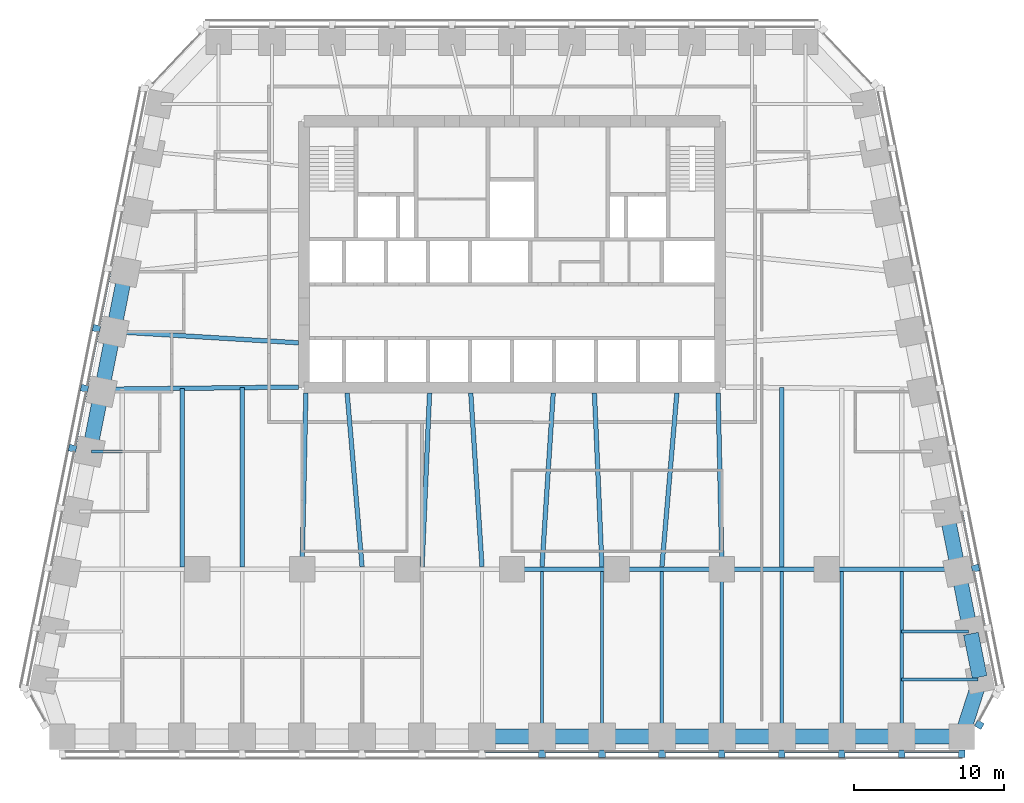
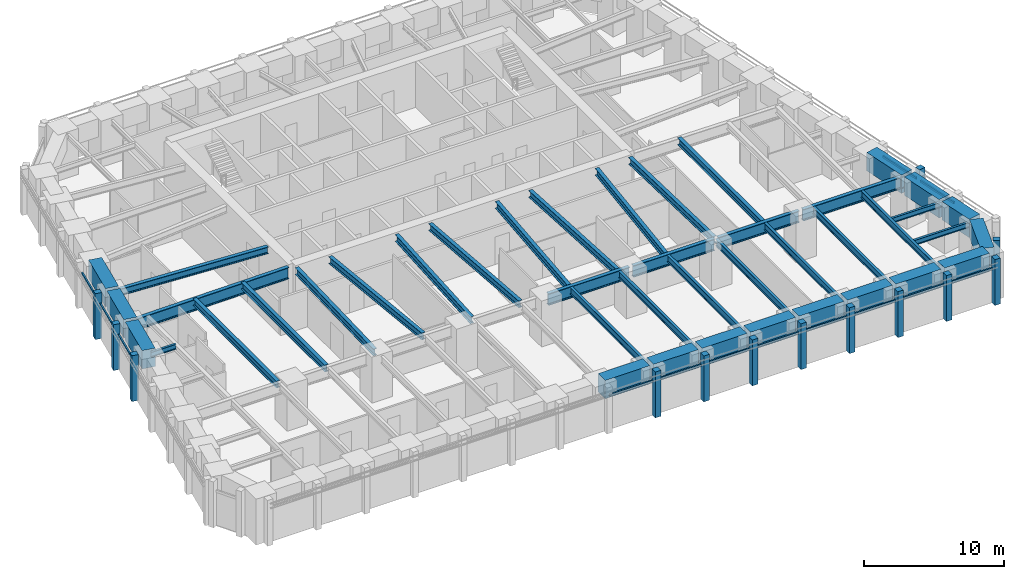
# One storey, part 2 of 10: 42 beams, 26 members, 4 elements without a shape of their own.
"""IFC4 building model written with IfcOpenShell, lengths in metres."""

import ifcopenshell
import ifcopenshell.guid

model = None  # the IFC model being written
_history = None  # IfcOwnerHistory: only IFC2X3 demands one
_inside = {}  # id of a spatial element -> (the spatial element, [elements in it])
_under = {}  # id of a project, library or spatial element -> (it, [spatial elements below it])
_declared = {}  # id of a project -> (the project, [libraries it declares])
_typed = {}  # id of a type object -> (the type object, [elements of that type])
_made_of = {}  # id of a material, layer set ... -> (it, [elements and type objects made of it])


def new_model(schema):
    """Start an empty IFC model of exactly this schema.

    Asked for "IFC4X3", IfcOpenShell would pick the latest addendum, in which some entities
    have other attributes; the version numbers below select the first issue.
    IFC2X3 requires an IfcOwnerHistory on every rooted entity: one is made here for all.
    """
    global model, _history
    if schema == "IFC4X3":
        model = ifcopenshell.file(schema_version=(4, 3, 0, 0))
    else:
        model = ifcopenshell.file(schema=schema)
    _inside.clear()
    _under.clear()
    _declared.clear()
    _typed.clear()
    _made_of.clear()
    _history = None
    if model.schema == "IFC2X3":
        org = make("IfcOrganization", Name="unknown")
        user = make(
            "IfcPersonAndOrganization",
            ThePerson=make("IfcPerson", FamilyName="unknown"),
            TheOrganization=org,
        )
        app = make(
            "IfcApplication",
            ApplicationDeveloper=org,
            Version="unknown",
            ApplicationFullName="unknown",
            ApplicationIdentifier="unknown",
        )
        _history = make(
            "IfcOwnerHistory",
            OwningUser=user,
            OwningApplication=app,
            ChangeAction="ADDED",
            CreationDate=0,
        )
    return model


def make(cls, **values):
    """One entity of the class cls with the attributes given. An attribute that is None is left unset."""
    return model.create_entity(
        cls, **{name: value for name, value in values.items() if value is not None}
    )


def rooted(cls, **values):
    """An entity with a GlobalId (a new one), such as an element, a storey or a relation."""
    return make(cls, GlobalId=ifcopenshell.guid.new(), OwnerHistory=_history, **values)


def si_unit(unit_type, name, prefix=None):
    """IfcSIUnit, for example si_unit("LENGTHUNIT", "METRE", prefix="MILLI")."""
    return make("IfcSIUnit", UnitType=unit_type, Prefix=prefix, Name=name)


def assignment(units):
    """IfcUnitAssignment: the units of a project."""
    return None if units is None else make("IfcUnitAssignment", Units=units)


def point(xyz):
    """IfcCartesianPoint."""
    return None if xyz is None else make("IfcCartesianPoint", Coordinates=xyz)


def direction(xyz):
    """IfcDirection."""
    return None if xyz is None else make("IfcDirection", DirectionRatios=xyz)


def frame(location, z_axis=None, x_axis=None):
    """IfcAxis2Placement3D, a coordinate frame: its origin and axes. An axis left out is left unset."""
    return make(
        "IfcAxis2Placement3D",
        Location=point(location),
        Axis=direction(z_axis),
        RefDirection=direction(x_axis),
    )


def frame_2d(location, x_axis=None):
    """IfcAxis2Placement2D, a coordinate frame in the plane: its origin and x axis."""
    return make(
        "IfcAxis2Placement2D", Location=point(location), RefDirection=direction(x_axis)
    )


def origin():
    """The frame at (0, 0, 0) with its axes left unset."""
    return frame((0.0, 0.0, 0.0))


def origin_2d():
    """The frame at (0, 0) in the plane with its x axis left unset."""
    return frame_2d((0.0, 0.0))


def place(relative_to, where):
    """IfcLocalPlacement: puts the frame where relative to a parent placement (None: the world)."""
    return make(
        "IfcLocalPlacement", PlacementRelTo=relative_to, RelativePlacement=where
    )


def context(
    kind, dimensions, precision=None, world=None, true_north=None, identifier=None
):
    """IfcGeometricRepresentationContext, for example the 3D "Model" context."""
    return make(
        "IfcGeometricRepresentationContext",
        ContextIdentifier=identifier,
        ContextType=kind,
        CoordinateSpaceDimension=dimensions,
        Precision=precision,
        WorldCoordinateSystem=world,
        TrueNorth=true_north,
    )


def subcontext(parent, identifier, kind, view, scale=None):
    """IfcGeometricRepresentationSubContext, for example "Body" below "Model"."""
    return make(
        "IfcGeometricRepresentationSubContext",
        ContextIdentifier=identifier,
        ContextType=kind,
        ParentContext=parent,
        TargetScale=scale,
        TargetView=view,
    )


def project(units=None, contexts=None):
    """IfcProject with its units and contexts."""
    return rooted(
        "IfcProject",
        Name="project",
        RepresentationContexts=contexts,
        UnitsInContext=assignment(units),
    )


def spatial(cls, under=None, at=None, **own):
    """A site, building, storey or space (cls), placed at a placement, below another one or the project."""
    s = rooted(cls, ObjectPlacement=at, **own)
    if under is not None:
        _under.setdefault(under.id(), (under, []))[1].append(s)
    return s


def profile(cls, at=None, kind="AREA", **sizes):
    """A parametric profile (cls). Its sizes go by their IFC names, for example OverallWidth=200.0."""
    return make(cls, ProfileType=kind, Position=at, **sizes)


def rectangle(**sizes):
    """IfcRectangleProfileDef."""
    return profile("IfcRectangleProfileDef", **sizes)


def i_section(**sizes):
    """IfcIShapeProfileDef."""
    return profile("IfcIShapeProfileDef", **sizes)


def extrude(swept, where, along, depth):
    """IfcExtrudedAreaSolid: the profile swept, set in the frame where, extruded along a direction by depth."""
    return make(
        "IfcExtrudedAreaSolid",
        SweptArea=swept,
        Position=where,
        ExtrudedDirection=direction(along),
        Depth=depth,
    )


def shape(context_of_items, identifier, shape_type, items):
    """IfcShapeRepresentation: the items that make up one representation, for example the "Body"."""
    return make(
        "IfcShapeRepresentation",
        ContextOfItems=context_of_items,
        RepresentationIdentifier=identifier,
        RepresentationType=shape_type,
        Items=items,
    )


def material(Name=None, Category=None):
    """IfcMaterial."""
    return make("IfcMaterial", Name=Name, Category=Category)


def material_profile(
    of_material, cross_section, Name=None, Category=None, Priority=None
):
    """IfcMaterialProfile: a cross section and its material."""
    return make(
        "IfcMaterialProfile",
        Name=Name,
        Material=of_material,
        Profile=cross_section,
        Priority=Priority,
        Category=Category,
    )


def profile_set(profiles, Name=None, composite=None):
    """IfcMaterialProfileSet."""
    return make(
        "IfcMaterialProfileSet",
        Name=Name,
        MaterialProfiles=profiles,
        CompositeProfile=composite,
    )


def made_of(thing, what):
    """Note that an element or type object is made of a material, layer set ...; save() writes the relation."""
    if what is not None:
        _made_of.setdefault(what.id(), (what, []))[1].append(thing)
    return thing


def type_object(cls, material=None, **own):
    """A type object (cls), such as IfcWallType, which elements share."""
    return made_of(rooted(cls, **own), material)


def element(
    cls,
    number,
    at=None,
    inside=None,
    cuts=None,
    type_object=None,
    material=None,
    context=None,
    identifier="Body",
    shape_type=None,
    held_by="IfcProductDefinitionShape",
    body=None,
    shapes=None,
    **own,
):
    """One element of the class cls, such as IfcWall. Its Tag is "e" and its number.

    at: its placement. inside: the storey or other place that contains it. cuts: it is an
    opening in that element (IfcRelVoidsElement). A single representation is given by context,
    identifier, shape_type and body (its items); several are given by shapes. held_by: the class
    of the entity that holds the representations. save() writes the other relations.
    """
    e = rooted(cls, Tag="e%d" % number, ObjectPlacement=at, **own)
    if body is not None:
        shapes = [shape(context, identifier, shape_type, body)]
    if shapes is not None:
        e.Representation = make(held_by, Representations=shapes)
    if inside is not None:
        _inside.setdefault(inside.id(), (inside, []))[1].append(e)
    if cuts is not None:
        rooted(
            "IfcRelVoidsElement", RelatingBuildingElement=cuts, RelatedOpeningElement=e
        )
    if type_object is not None:
        _typed.setdefault(type_object.id(), (type_object, []))[1].append(e)
    return made_of(e, material)


def aggregate(whole, parts):
    """IfcRelAggregates: a whole, such as a stair, and the parts it consists of."""
    return rooted("IfcRelAggregates", RelatingObject=whole, RelatedObjects=parts)


def save(model, path):
    """Write the relations noted so far, then the file.

    IfcRelAggregates (storeys below a building ...), IfcRelContainedInSpatialStructure (elements
    in a storey), IfcRelDefinesByType, IfcRelAssociatesMaterial and IfcRelDeclares: one each for
    every whole, place, type object, material and project.
    """
    for whole, parts in _under.values():
        aggregate(whole, parts)
    for where, things in _inside.values():
        rooted(
            "IfcRelContainedInSpatialStructure",
            RelatedElements=things,
            RelatingStructure=where,
        )
    for kind, things in _typed.values():
        rooted("IfcRelDefinesByType", RelatedObjects=things, RelatingType=kind)
    for what, things in _made_of.values():
        rooted("IfcRelAssociatesMaterial", RelatedObjects=things, RelatingMaterial=what)
    for by, libraries in _declared.values():
        rooted("IfcRelDeclares", RelatingContext=by, RelatedDefinitions=libraries)
    model.write(path)


model = new_model("IFC4")

# Units and contexts
model_context = context("Model", 3, precision=1e-05, world=origin(), true_north=direction((0.0, 1.0)))
body_context = subcontext(model_context, "Body", "Model", "MODEL_VIEW")
ifc_project = project(units=[si_unit("LENGTHUNIT", "METRE"), si_unit("AREAUNIT", "SQUARE_METRE"), si_unit("VOLUMEUNIT", "CUBIC_METRE"), si_unit("PLANEANGLEUNIT", "RADIAN"), si_unit("MASSUNIT", "GRAM", prefix="KILO")], contexts=[model_context])

# Site, building, storey
site_placement = place(None, origin())
site = spatial("IfcSite", under=ifc_project, at=site_placement, CompositionType="ELEMENT")
building_placement = place(site_placement, origin())
building = spatial("IfcBuilding", under=site, at=building_placement, Name="Isbrekke Arena Tower", CompositionType="ELEMENT")
storey_placement = place(building_placement, frame((0.0, 0.0, 111.0)))
storey = spatial("IfcBuildingStorey", under=building, at=storey_placement, Name="L24", CompositionType="ELEMENT", Elevation=111.0)

# Beams
ifc_material_1 = material(Name="Steel S355", Category="steel")
ifc_material_profile_1 = material_profile(ifc_material_1, i_section(OverallWidth=0.219970703125, OverallDepth=0.60009765625, WebThickness=0.011962890625, FlangeThickness=0.01904296875, FilletRadius=0.02392578125, at=origin_2d()), Name="IPE 600")
ifc_profile_set_1 = profile_set([ifc_material_profile_1], Name="Steel S355")
beam_type_1 = type_object("IfcBeamType", Name="B1 IPE 600", PredefinedType="BEAM", material=ifc_profile_set_1)
for number, where, z_axis, x_axis, name in (
    (1, (2.0, -17.02490234375, 3.550048828125), (0.0, 1.0, 0.0), (-1.0, 0.0, 0.0), "B1 beam S-S09 L24"),
    (2, (6.0, -17.02490234375, 3.550048828125), (0.0, 1.0, 0.0), (-1.0, 0.0, 0.0), "B1 beam S-S10 L24"),
    (3, (10.0, -17.02490234375, 3.550048828125), (0.0, 1.0, 0.0), (-1.0, 0.0, 0.0), "B1 beam S-S11 L24"),
):
    element("IfcBeam", number, at=place(storey_placement, frame(where, z_axis=z_axis, x_axis=x_axis)), inside=storey, type_object=beam_type_1, Name=name, PredefinedType="BEAM", context=body_context, shape_type="SweptSolid", body=[
        extrude(i_section(OverallWidth=0.219970703125, OverallDepth=0.60009765625, WebThickness=0.011962890625, FlangeThickness=0.01904296875, FilletRadius=0.02392578125, at=origin_2d()), origin(), (0.0, 0.0, 1.0), 10.8740234375),
    ])
beam_1_placement = place(storey_placement, frame((14.0, -17.02490234375, 3.550048828125), z_axis=(0.0, 1.0, 0.0), x_axis=(-1.0, 0.0, 0.0)))
element("IfcBeam", 4, at=beam_1_placement, inside=storey, type_object=beam_type_1, Name="B1 beam S-S12 L24", PredefinedType="BEAM", context=body_context, shape_type="SweptSolid", body=[
    extrude(i_section(OverallWidth=0.219970703125, OverallDepth=0.60009765625, WebThickness=0.011962890625, FlangeThickness=0.01904296875, FilletRadius=0.02392578125, at=origin_2d()), origin(), (0.0, 0.0, 1.0), 10.875),
])
for number, where, z_axis, x_axis, name in (
    (5, (18.0, -17.02490234375, 3.550048828125), (0.0, 1.0, 0.0), (-1.0, 0.0, 0.0), "B1 beam S-S13 L24"),
    (6, (22.0, -17.02490234375, 3.550048828125), (0.0, 1.0, 0.0), (-1.0, 0.0, 0.0), "B1 beam S-S14 L24"),
    (7, (26.0, -17.02490234375, 3.550048828125), (0.0, 1.0, 0.0), (-1.0, 0.0, 0.0), "B1 beam S-S15 L24"),
):
    element("IfcBeam", number, at=place(storey_placement, frame(where, z_axis=z_axis, x_axis=x_axis)), inside=storey, type_object=beam_type_1, Name=name, PredefinedType="BEAM", context=body_context, shape_type="SweptSolid", body=[
        extrude(i_section(OverallWidth=0.219970703125, OverallDepth=0.60009765625, WebThickness=0.011962890625, FlangeThickness=0.01904296875, FilletRadius=0.02392578125, at=origin_2d()), origin(), (0.0, 0.0, 1.0), 10.8740234375),
    ])
ifc_material_2 = material(Name="Steel S355", Category="steel")
ifc_material_profile_2 = material_profile(ifc_material_2, i_section(OverallWidth=0.18994140625, OverallDepth=0.449951171875, WebThickness=0.009521484375, FlangeThickness=0.0146484375, FilletRadius=0.02099609375, at=origin_2d()), Name="IPE 450")
ifc_profile_set_2 = profile_set([ifc_material_profile_2], Name="Steel S355")
beam_type_2 = type_object("IfcBeamType", Name="B2 IPE 450", PredefinedType="BEAM", material=ifc_profile_set_2)
beam_2_placement = place(storey_placement, frame((31.079345703125, -13.352783203125, 3.625), z_axis=(-1.0, 0.0, 0.0), x_axis=(0.0, -1.0, 0.0)))
element("IfcBeam", 8, at=beam_2_placement, inside=storey, type_object=beam_type_2, Name="B2 beam E-E01 L24", PredefinedType="BEAM", context=body_context, shape_type="SweptSolid", body=[
    extrude(i_section(OverallWidth=0.18994140625, OverallDepth=0.449951171875, WebThickness=0.009521484375, FlangeThickness=0.0146484375, FilletRadius=0.02099609375, at=origin_2d()), origin(), (0.0, 0.0, 1.0), 5.079345703125),
])
beam_3_placement = place(storey_placement, frame((30.44091796875, -10.161865234375, 3.625), z_axis=(-1.0, 0.0, 0.0), x_axis=(0.0, -1.0, 0.0)))
element("IfcBeam", 9, at=beam_3_placement, inside=storey, type_object=beam_type_2, Name="B2 beam E-E02 L24", PredefinedType="BEAM", context=body_context, shape_type="SweptSolid", body=[
    extrude(i_section(OverallWidth=0.18994140625, OverallDepth=0.449951171875, WebThickness=0.009521484375, FlangeThickness=0.0146484375, FilletRadius=0.02099609375, at=origin_2d()), origin(), (0.0, 0.0, 1.0), 4.44091796875),
])
beam_4_placement = place(storey_placement, frame((-28.041015625, 1.838134765625, 3.625), z_axis=(1.0, 0.0, 0.0), x_axis=(0.0, 1.0, 0.0)))
element("IfcBeam", 10, at=beam_4_placement, inside=storey, type_object=beam_type_2, Name="B2 beam E-W07 L24", PredefinedType="BEAM", context=body_context, shape_type="SweptSolid", body=[
    extrude(i_section(OverallWidth=0.18994140625, OverallDepth=0.449951171875, WebThickness=0.009521484375, FlangeThickness=0.0146484375, FilletRadius=0.02099609375, at=origin_2d()), origin(), (0.0, 0.0, 1.0), 2.041015625),
])
ifc_material_3 = material(Name="Steel S355", Category="steel")
ifc_material_profile_3 = material_profile(ifc_material_3, i_section(OverallWidth=0.300048828125, OverallDepth=0.60009765625, WebThickness=0.015380859375, FlangeThickness=0.030029296875, FilletRadius=0.027099609375, at=origin_2d()), Name="HEB 600")
ifc_profile_set_3 = profile_set([ifc_material_profile_3], Name="Steel S355")
beam_type_3 = type_object("IfcBeamType", Name="B7 HEB 600", PredefinedType="BEAM", material=ifc_profile_set_3)
beam_5_placement = place(storey_placement, frame((-22.0, -5.84912109375, 3.550048828125), z_axis=(0.0, 1.0, 0.0), x_axis=(-1.0, 0.0, 0.0)))
element("IfcBeam", 11, at=beam_5_placement, inside=storey, type_object=beam_type_3, Name="B7 beam C-M02 L24", PredefinedType="BEAM", context=body_context, shape_type="SweptSolid", body=[
    extrude(i_section(OverallWidth=0.300048828125, OverallDepth=0.60009765625, WebThickness=0.015380859375, FlangeThickness=0.030029296875, FilletRadius=0.027099609375, at=origin_2d()), origin(), (0.0, 0.0, 1.0), 11.91064453125),
])
beam_6_placement = place(storey_placement, frame((-18.0, -5.84912109375, 3.550048828125), z_axis=(0.0, 1.0, 0.0), x_axis=(-1.0, 0.0, 0.0)))
element("IfcBeam", 12, at=beam_6_placement, inside=storey, type_object=beam_type_3, Name="B7 beam C-M03 L24", PredefinedType="BEAM", context=body_context, shape_type="SweptSolid", body=[
    extrude(i_section(OverallWidth=0.300048828125, OverallDepth=0.60009765625, WebThickness=0.015380859375, FlangeThickness=0.030029296875, FilletRadius=0.027099609375, at=origin_2d()), origin(), (0.0, 0.0, 1.0), 11.956298828125),
])
beam_7_placement = place(storey_placement, frame((-14.0, -5.8466796875, 3.550048828125), z_axis=(0.021552887044, 0.999767709551, 0.0), x_axis=(-0.999767709551, 0.021552887044, 0.0)))
element("IfcBeam", 13, at=beam_7_placement, inside=storey, type_object=beam_type_3, Name="B7 beam C-M04 L24", PredefinedType="BEAM", context=body_context, shape_type="SweptSolid", body=[
    extrude(i_section(OverallWidth=0.300048828125, OverallDepth=0.60009765625, WebThickness=0.015380859375, FlangeThickness=0.030029296875, FilletRadius=0.027099609375, at=origin_2d()), origin(), (0.0, 0.0, 1.0), 11.599365234375),
])
beam_8_placement = place(storey_placement, frame((-10.001220703125, -5.836181640625, 3.550048828125), z_axis=(-0.085885827104, 0.996304985786, 0.0), x_axis=(-0.996304985786, -0.085885827104, 0.0)))
element("IfcBeam", 14, at=beam_8_placement, inside=storey, type_object=beam_type_3, Name="B7 beam C-M05 L24", PredefinedType="BEAM", context=body_context, shape_type="SweptSolid", body=[
    extrude(i_section(OverallWidth=0.300048828125, OverallDepth=0.60009765625, WebThickness=0.015380859375, FlangeThickness=0.030029296875, FilletRadius=0.027099609375, at=origin_2d()), origin(), (0.0, 0.0, 1.0), 11.629150390625),
])
beam_9_placement = place(storey_placement, frame((-5.999755859375, -5.842529296875, 3.550048828125), z_axis=(0.043070161667, 0.999072050041, 0.0), x_axis=(-0.999072050041, 0.043070161667, 0.0)))
element("IfcBeam", 15, at=beam_9_placement, inside=storey, type_object=beam_type_3, Name="B7 beam C-M06 L24", PredefinedType="BEAM", context=body_context, shape_type="SweptSolid", body=[
    extrude(i_section(OverallWidth=0.300048828125, OverallDepth=0.60009765625, WebThickness=0.015380859375, FlangeThickness=0.030029296875, FilletRadius=0.027099609375, at=origin_2d()), origin(), (0.0, 0.0, 1.0), 11.603271484375),
])
for number, where, z_axis, x_axis, name in (
    (16, (-2.000732421875, -5.83935546875, 3.550048828125), (-0.064516666031, 0.997916629686, 0.0), (-0.997916629686, -0.064516666031, 0.0), "B7 beam C-M07 L24"),
    (17, (2.000732421875, -5.83935546875, 3.550048828125), (0.064516666031, 0.997916629686, 0.0), (-0.997916629686, 0.064516666031, 0.0), "B7 beam C-M08 L24"),
):
    element("IfcBeam", number, at=place(storey_placement, frame(where, z_axis=z_axis, x_axis=x_axis)), inside=storey, type_object=beam_type_3, Name=name, PredefinedType="BEAM", context=body_context, shape_type="SweptSolid", body=[
        extrude(i_section(OverallWidth=0.300048828125, OverallDepth=0.60009765625, WebThickness=0.015380859375, FlangeThickness=0.030029296875, FilletRadius=0.027099609375, at=origin_2d()), origin(), (0.0, 0.0, 1.0), 11.613525390625),
    ])
beam_10_placement = place(storey_placement, frame((5.999755859375, -5.842529296875, 3.550048828125), z_axis=(-0.043070161667, 0.999072050041, 0.0), x_axis=(-0.999072050041, -0.043070161667, 0.0)))
element("IfcBeam", 18, at=beam_10_placement, inside=storey, type_object=beam_type_3, Name="B7 beam C-M09 L24", PredefinedType="BEAM", context=body_context, shape_type="SweptSolid", body=[
    extrude(i_section(OverallWidth=0.300048828125, OverallDepth=0.60009765625, WebThickness=0.015380859375, FlangeThickness=0.030029296875, FilletRadius=0.027099609375, at=origin_2d()), origin(), (0.0, 0.0, 1.0), 11.603271484375),
])
beam_11_placement = place(storey_placement, frame((10.001220703125, -5.836181640625, 3.550048828125), z_axis=(0.085885827104, 0.996304985786, 0.0), x_axis=(-0.996304985786, 0.085885827104, 0.0)))
element("IfcBeam", 19, at=beam_11_placement, inside=storey, type_object=beam_type_3, Name="B7 beam C-M10 L24", PredefinedType="BEAM", context=body_context, shape_type="SweptSolid", body=[
    extrude(i_section(OverallWidth=0.300048828125, OverallDepth=0.60009765625, WebThickness=0.015380859375, FlangeThickness=0.030029296875, FilletRadius=0.027099609375, at=origin_2d()), origin(), (0.0, 0.0, 1.0), 11.629150390625),
])
beam_12_placement = place(storey_placement, frame((14.0, -5.8466796875, 3.550048828125), z_axis=(-0.021552887044, 0.999767709551, 0.0), x_axis=(-0.999767709551, -0.021552887044, 0.0)))
element("IfcBeam", 20, at=beam_12_placement, inside=storey, type_object=beam_type_3, Name="B7 beam C-M11 L24", PredefinedType="BEAM", context=body_context, shape_type="SweptSolid", body=[
    extrude(i_section(OverallWidth=0.300048828125, OverallDepth=0.60009765625, WebThickness=0.015380859375, FlangeThickness=0.030029296875, FilletRadius=0.027099609375, at=origin_2d()), origin(), (0.0, 0.0, 1.0), 11.599365234375),
])
beam_13_placement = place(storey_placement, frame((18.0, -5.84912109375, 3.550048828125), z_axis=(0.0, 1.0, 0.0), x_axis=(-1.0, 0.0, 0.0)))
element("IfcBeam", 21, at=beam_13_placement, inside=storey, type_object=beam_type_3, Name="B7 beam C-M12 L24", PredefinedType="BEAM", context=body_context, shape_type="SweptSolid", body=[
    extrude(i_section(OverallWidth=0.300048828125, OverallDepth=0.60009765625, WebThickness=0.015380859375, FlangeThickness=0.030029296875, FilletRadius=0.027099609375, at=origin_2d()), origin(), (0.0, 0.0, 1.0), 11.956298828125),
])
beam_14_placement = place(storey_placement, frame((-26.431884765625, 9.837646484375, 3.550048828125), z_axis=(0.998172191876, -0.060434057993, 0.0), x_axis=(0.060434057993, 0.998172191876, 0.0)))
element("IfcBeam", 22, at=beam_14_placement, inside=storey, type_object=beam_type_3, Name="B7 beam E-W05 L24", PredefinedType="BEAM", context=body_context, shape_type="SweptSolid", body=[
    extrude(i_section(OverallWidth=0.300048828125, OverallDepth=0.60009765625, WebThickness=0.015380859375, FlangeThickness=0.030029296875, FilletRadius=0.027099609375, at=origin_2d()), origin(), (0.0, 0.0, 1.0), 12.2041015625),
])

# Curtain wall, members
ifc_material_4 = material(Name="Glazed aluminium curtain wall", Category="aluminium")
curtain_wall_type = type_object("IfcCurtainWallType", Name="CWM TOWER CURTAIN WALL MID ZONE", PredefinedType="USERDEFINED", material=ifc_material_4)
curtain_wall_1_placement = place(storey_placement, origin())
curtain_wall_1 = element("IfcCurtainWall", 23, at=curtain_wall_1_placement, inside=storey, type_object=curtain_wall_type, Name="CWM curtain wall L24-S", ObjectType="TOWER CURTAIN WALL MID ZONE", PredefinedType="USERDEFINED")
ifc_material_5 = material(Name="Aluminium mullion, pale brick slip cladding", Category="masonry")
ifc_material_profile_4 = material_profile(ifc_material_5, rectangle(XDim=0.449951171875, YDim=0.5, at=origin_2d()), Name="PIER 450X500")
ifc_profile_set_4 = profile_set([ifc_material_profile_4], Name="Aluminium mullion, pale brick slip cladding")
member_type_1 = type_object("IfcMemberType", Name="CWM-M PIER MULLION 450 x 500", PredefinedType="MULLION", material=ifc_profile_set_4)
member_1_placement = place(storey_placement, frame((2.0, -18.324951171875, 0.0), z_axis=(0.0, 0.0, 1.0), x_axis=(1.0, 0.0, 0.0)))
member_1 = element("IfcMember", 24, at=member_1_placement, type_object=member_type_1, Name="CWM-M mullion 9", PredefinedType="MULLION", context=body_context, shape_type="SweptSolid", body=[
    extrude(rectangle(XDim=0.449951171875, YDim=0.5, at=origin_2d()), origin(), (0.0, 0.0, 1.0), 4.0),
])
member_2_placement = place(storey_placement, frame((6.0, -18.324951171875, 0.0), z_axis=(0.0, 0.0, 1.0), x_axis=(1.0, 0.0, 0.0)))
member_2 = element("IfcMember", 25, at=member_2_placement, type_object=member_type_1, Name="CWM-M mullion 10", PredefinedType="MULLION", context=body_context, shape_type="SweptSolid", body=[
    extrude(rectangle(XDim=0.449951171875, YDim=0.5, at=origin_2d()), origin(), (0.0, 0.0, 1.0), 4.0),
])
member_3_placement = place(storey_placement, frame((10.0, -18.324951171875, 0.0), z_axis=(0.0, 0.0, 1.0), x_axis=(1.0, 0.0, 0.0)))
member_3 = element("IfcMember", 26, at=member_3_placement, type_object=member_type_1, Name="CWM-M mullion 11", PredefinedType="MULLION", context=body_context, shape_type="SweptSolid", body=[
    extrude(rectangle(XDim=0.449951171875, YDim=0.5, at=origin_2d()), origin(), (0.0, 0.0, 1.0), 4.0),
])
member_4_placement = place(storey_placement, frame((14.0, -18.324951171875, 0.0), z_axis=(0.0, 0.0, 1.0), x_axis=(1.0, 0.0, 0.0)))
member_4 = element("IfcMember", 27, at=member_4_placement, type_object=member_type_1, Name="CWM-M mullion 12", PredefinedType="MULLION", context=body_context, shape_type="SweptSolid", body=[
    extrude(rectangle(XDim=0.449951171875, YDim=0.5, at=origin_2d()), origin(), (0.0, 0.0, 1.0), 4.0),
])
member_5_placement = place(storey_placement, frame((18.0, -18.324951171875, 0.0), z_axis=(0.0, 0.0, 1.0), x_axis=(1.0, 0.0, 0.0)))
member_5 = element("IfcMember", 28, at=member_5_placement, type_object=member_type_1, Name="CWM-M mullion 13", PredefinedType="MULLION", context=body_context, shape_type="SweptSolid", body=[
    extrude(rectangle(XDim=0.449951171875, YDim=0.5, at=origin_2d()), origin(), (0.0, 0.0, 1.0), 4.0),
])
member_6_placement = place(storey_placement, frame((22.0, -18.324951171875, 0.0), z_axis=(0.0, 0.0, 1.0), x_axis=(1.0, 0.0, 0.0)))
member_6 = element("IfcMember", 29, at=member_6_placement, type_object=member_type_1, Name="CWM-M mullion 14", PredefinedType="MULLION", context=body_context, shape_type="SweptSolid", body=[
    extrude(rectangle(XDim=0.449951171875, YDim=0.5, at=origin_2d()), origin(), (0.0, 0.0, 1.0), 4.0),
])
member_7_placement = place(storey_placement, frame((26.0, -18.324951171875, 0.0), z_axis=(0.0, 0.0, 1.0), x_axis=(1.0, 0.0, 0.0)))
member_7 = element("IfcMember", 30, at=member_7_placement, type_object=member_type_1, Name="CWM-M mullion 15", PredefinedType="MULLION", context=body_context, shape_type="SweptSolid", body=[
    extrude(rectangle(XDim=0.449951171875, YDim=0.5, at=origin_2d()), origin(), (0.0, 0.0, 1.0), 4.0),
])
member_8_placement = place(storey_placement, frame((30.0, -18.324951171875, 0.0), z_axis=(0.0, 0.0, 1.0), x_axis=(1.0, 0.0, 0.0)))
member_8 = element("IfcMember", 31, at=member_8_placement, type_object=member_type_1, Name="CWM-M mullion 16", PredefinedType="MULLION", context=body_context, shape_type="SweptSolid", body=[
    extrude(rectangle(XDim=0.449951171875, YDim=0.5, at=origin_2d()), origin(), (0.0, 0.0, 1.0), 4.0),
])

# Curtain wall, member
curtain_wall_2_placement = place(storey_placement, origin())
curtain_wall_2 = element("IfcCurtainWall", 32, at=curtain_wall_2_placement, inside=storey, type_object=curtain_wall_type, Name="CWM curtain wall L24-SE", ObjectType="TOWER CURTAIN WALL MID ZONE", PredefinedType="USERDEFINED")
member_9_placement = place(storey_placement, frame((31.17529296875, -16.382080078125, 0.0), z_axis=(0.0, 0.0, 1.0), x_axis=(0.481918749773, 0.876215908676, 0.0)))
member_9 = element("IfcMember", 33, at=member_9_placement, type_object=member_type_1, Name="CWM-M mullion 1", PredefinedType="MULLION", context=body_context, shape_type="SweptSolid", body=[
    extrude(rectangle(XDim=0.449951171875, YDim=0.5, at=origin_2d()), origin(), (0.0, 0.0, 1.0), 4.0),
])
aggregate(curtain_wall_2, [member_9])

curtain_wall_3_placement = place(storey_placement, origin())
curtain_wall_3 = element("IfcCurtainWall", 34, at=curtain_wall_3_placement, inside=storey, type_object=curtain_wall_type, Name="CWM curtain wall L24-E", ObjectType="TOWER CURTAIN WALL MID ZONE", PredefinedType="USERDEFINED")
member_10_placement = place(storey_placement, frame((30.918701171875, -5.936279296875, 0.0), z_axis=(0.0, 0.0, 1.0), x_axis=(-0.196116135138, 0.980580675691, 0.0)))
member_10 = element("IfcMember", 35, at=member_10_placement, type_object=member_type_1, Name="CWM-M mullion 3", PredefinedType="MULLION", context=body_context, shape_type="SweptSolid", body=[
    extrude(rectangle(XDim=0.449951171875, YDim=0.5, at=origin_2d()), origin(), (0.0, 0.0, 1.0), 4.0),
])

# Curtain wall, members
curtain_wall_4_placement = place(storey_placement, origin())
curtain_wall_4 = element("IfcCurtainWall", 36, at=curtain_wall_4_placement, inside=storey, type_object=curtain_wall_type, Name="CWM curtain wall L24-W", ObjectType="TOWER CURTAIN WALL MID ZONE", PredefinedType="USERDEFINED")
member_11_placement = place(storey_placement, frame((-27.71875, 10.063720703125, 0.0), z_axis=(0.0, 0.0, 1.0), x_axis=(-0.196116135138, -0.980580675691, 0.0)))
member_11 = element("IfcMember", 37, at=member_11_placement, type_object=member_type_1, Name="CWM-M mullion 5", PredefinedType="MULLION", context=body_context, shape_type="SweptSolid", body=[
    extrude(rectangle(XDim=0.449951171875, YDim=0.5, at=origin_2d()), origin(), (0.0, 0.0, 1.0), 4.0),
])
member_12_placement = place(storey_placement, frame((-28.518798828125, 6.063720703125, 0.0), z_axis=(0.0, 0.0, 1.0), x_axis=(-0.196116135138, -0.980580675691, 0.0)))
member_12 = element("IfcMember", 38, at=member_12_placement, type_object=member_type_1, Name="CWM-M mullion 6", PredefinedType="MULLION", context=body_context, shape_type="SweptSolid", body=[
    extrude(rectangle(XDim=0.449951171875, YDim=0.5, at=origin_2d()), origin(), (0.0, 0.0, 1.0), 4.0),
])
member_13_placement = place(storey_placement, frame((-29.318603515625, 2.063720703125, 0.0), z_axis=(0.0, 0.0, 1.0), x_axis=(-0.196116135138, -0.980580675691, 0.0)))
member_13 = element("IfcMember", 39, at=member_13_placement, type_object=member_type_1, Name="CWM-M mullion 7", PredefinedType="MULLION", context=body_context, shape_type="SweptSolid", body=[
    extrude(rectangle(XDim=0.449951171875, YDim=0.5, at=origin_2d()), origin(), (0.0, 0.0, 1.0), 4.0),
])

# Member
ifc_material_6 = material(Name="Aluminium transom", Category="aluminium")
ifc_material_profile_5 = material_profile(ifc_material_6, rectangle(XDim=0.1201171875, YDim=0.199951171875, at=origin_2d()), Name="TRANSOM 120X200")
ifc_profile_set_5 = profile_set([ifc_material_profile_5], Name="Aluminium transom")
member_type_2 = type_object("IfcMemberType", Name="CWM-T TRANSOM 120 x 200", PredefinedType="USERDEFINED", material=ifc_profile_set_5)
member_14_placement = place(storey_placement, frame((-1.77490234375, -18.175048828125, 3.0), z_axis=(1.0, 0.0, 0.0), x_axis=(0.0, 1.0, 0.0)))
member_14 = element("IfcMember", 40, at=member_14_placement, type_object=member_type_2, Name="CWM-T transom 8", ObjectType="TRANSOM", PredefinedType="USERDEFINED", context=body_context, shape_type="SweptSolid", body=[
    extrude(rectangle(XDim=0.1201171875, YDim=0.199951171875, at=origin_2d()), origin(), (0.0, 0.0, 1.0), 3.5498046875),
])

member_15_placement = place(storey_placement, frame((2.22509765625, -18.175048828125, 3.0), z_axis=(1.0, 0.0, 0.0), x_axis=(0.0, 1.0, 0.0)))
member_15 = element("IfcMember", 41, at=member_15_placement, type_object=member_type_2, Name="CWM-T transom 9", ObjectType="TRANSOM", PredefinedType="USERDEFINED", context=body_context, shape_type="SweptSolid", body=[
    extrude(rectangle(XDim=0.1201171875, YDim=0.199951171875, at=origin_2d()), origin(), (0.0, 0.0, 1.0), 3.5498046875),
])

member_16_placement = place(storey_placement, frame((6.22509765625, -18.175048828125, 3.0), z_axis=(1.0, 0.0, 0.0), x_axis=(0.0, 1.0, 0.0)))
member_16 = element("IfcMember", 42, at=member_16_placement, type_object=member_type_2, Name="CWM-T transom 10", ObjectType="TRANSOM", PredefinedType="USERDEFINED", context=body_context, shape_type="SweptSolid", body=[
    extrude(rectangle(XDim=0.1201171875, YDim=0.199951171875, at=origin_2d()), origin(), (0.0, 0.0, 1.0), 3.5498046875),
])

member_17_placement = place(storey_placement, frame((10.22509765625, -18.175048828125, 3.0), z_axis=(1.0, 0.0, 0.0), x_axis=(0.0, 1.0, 0.0)))
member_17 = element("IfcMember", 43, at=member_17_placement, type_object=member_type_2, Name="CWM-T transom 11", ObjectType="TRANSOM", PredefinedType="USERDEFINED", context=body_context, shape_type="SweptSolid", body=[
    extrude(rectangle(XDim=0.1201171875, YDim=0.199951171875, at=origin_2d()), origin(), (0.0, 0.0, 1.0), 3.5498046875),
])

member_18_placement = place(storey_placement, frame((14.22509765625, -18.175048828125, 3.0), z_axis=(1.0, 0.0, 0.0), x_axis=(0.0, 1.0, 0.0)))
member_18 = element("IfcMember", 44, at=member_18_placement, type_object=member_type_2, Name="CWM-T transom 12", ObjectType="TRANSOM", PredefinedType="USERDEFINED", context=body_context, shape_type="SweptSolid", body=[
    extrude(rectangle(XDim=0.1201171875, YDim=0.199951171875, at=origin_2d()), origin(), (0.0, 0.0, 1.0), 3.5498046875),
])

member_19_placement = place(storey_placement, frame((18.22509765625, -18.175048828125, 3.0), z_axis=(1.0, 0.0, 0.0), x_axis=(0.0, 1.0, 0.0)))
member_19 = element("IfcMember", 45, at=member_19_placement, type_object=member_type_2, Name="CWM-T transom 13", ObjectType="TRANSOM", PredefinedType="USERDEFINED", context=body_context, shape_type="SweptSolid", body=[
    extrude(rectangle(XDim=0.1201171875, YDim=0.199951171875, at=origin_2d()), origin(), (0.0, 0.0, 1.0), 3.5498046875),
])

member_20_placement = place(storey_placement, frame((22.22509765625, -18.175048828125, 3.0), z_axis=(1.0, 0.0, 0.0), x_axis=(0.0, 1.0, 0.0)))
member_20 = element("IfcMember", 46, at=member_20_placement, type_object=member_type_2, Name="CWM-T transom 14", ObjectType="TRANSOM", PredefinedType="USERDEFINED", context=body_context, shape_type="SweptSolid", body=[
    extrude(rectangle(XDim=0.1201171875, YDim=0.199951171875, at=origin_2d()), origin(), (0.0, 0.0, 1.0), 3.5498046875),
])

member_21_placement = place(storey_placement, frame((26.22509765625, -18.175048828125, 3.0), z_axis=(1.0, 0.0, 0.0), x_axis=(0.0, 1.0, 0.0)))
member_21 = element("IfcMember", 47, at=member_21_placement, type_object=member_type_2, Name="CWM-T transom 15", ObjectType="TRANSOM", PredefinedType="USERDEFINED", context=body_context, shape_type="SweptSolid", body=[
    extrude(rectangle(XDim=0.1201171875, YDim=0.199951171875, at=origin_2d()), origin(), (0.0, 0.0, 1.0), 3.5498046875),
])

aggregate(curtain_wall_1, [member_1, member_2, member_3, member_4, member_5, member_6, member_7, member_8, member_14, member_15, member_16, member_17, member_18, member_19, member_20, member_21])

member_22_placement = place(storey_placement, frame((31.527587890625, -9.7451171875, 3.0), z_axis=(-0.196154943734, 0.980572913173, 0.0), x_axis=(-0.980572913173, -0.196154943734, 0.0)))
member_22 = element("IfcMember", 48, at=member_22_placement, type_object=member_type_2, Name="CWM-T transom 2", ObjectType="TRANSOM", PredefinedType="USERDEFINED", context=body_context, shape_type="SweptSolid", body=[
    extrude(rectangle(XDim=0.1201171875, YDim=0.199951171875, at=origin_2d()), origin(), (0.0, 0.0, 1.0), 3.62939453125),
])

member_23_placement = place(storey_placement, frame((30.7275390625, -5.7451171875, 3.0), z_axis=(-0.196154943734, 0.980572913173, 0.0), x_axis=(-0.980572913173, -0.196154943734, 0.0)))
member_23 = element("IfcMember", 49, at=member_23_placement, type_object=member_type_2, Name="CWM-T transom 3", ObjectType="TRANSOM", PredefinedType="USERDEFINED", context=body_context, shape_type="SweptSolid", body=[
    extrude(rectangle(XDim=0.1201171875, YDim=0.199951171875, at=origin_2d()), origin(), (0.0, 0.0, 1.0), 3.62939453125),
])

aggregate(curtain_wall_3, [member_10, member_22, member_23])

member_24_placement = place(storey_placement, frame((-26.815673828125, 13.813720703125, 3.0), z_axis=(-0.196154943734, -0.980572913173, 0.0), x_axis=(0.980572913173, -0.196154943734, 0.0)))
member_24 = element("IfcMember", 50, at=member_24_placement, type_object=member_type_2, Name="CWM-T transom 4", ObjectType="TRANSOM", PredefinedType="USERDEFINED", context=body_context, shape_type="SweptSolid", body=[
    extrude(rectangle(XDim=0.1201171875, YDim=0.199951171875, at=origin_2d()), origin(), (0.0, 0.0, 1.0), 3.62939453125),
])

member_25_placement = place(storey_placement, frame((-27.61572265625, 9.813720703125, 3.0), z_axis=(-0.196090262229, -0.980585849918, 0.0), x_axis=(0.980585849918, -0.196090262229, 0.0)))
member_25 = element("IfcMember", 51, at=member_25_placement, type_object=member_type_2, Name="CWM-T transom 5", ObjectType="TRANSOM", PredefinedType="USERDEFINED", context=body_context, shape_type="SweptSolid", body=[
    extrude(rectangle(XDim=0.1201171875, YDim=0.199951171875, at=origin_2d()), origin(), (0.0, 0.0, 1.0), 3.62939453125),
])

member_26_placement = place(storey_placement, frame((-28.415771484375, 5.813720703125, 3.0), z_axis=(-0.196090262229, -0.980585849918, 0.0), x_axis=(0.980585849918, -0.196090262229, 0.0)))
member_26 = element("IfcMember", 52, at=member_26_placement, type_object=member_type_2, Name="CWM-T transom 6", ObjectType="TRANSOM", PredefinedType="USERDEFINED", context=body_context, shape_type="SweptSolid", body=[
    extrude(rectangle(XDim=0.1201171875, YDim=0.199951171875, at=origin_2d()), origin(), (0.0, 0.0, 1.0), 3.62939453125),
])

aggregate(curtain_wall_4, [member_11, member_12, member_13, member_24, member_25, member_26])

# Beams
ifc_material_7 = material(Name="Steel S355", Category="steel")
ifc_material_profile_6 = material_profile(ifc_material_7, i_section(OverallWidth=0.302001953125, OverallDepth=1.008056640625, WebThickness=0.02099609375, FlangeThickness=0.0400390625, FilletRadius=0.030029296875, at=origin_2d()), Name="HEM 1000")
ifc_profile_set_6 = profile_set([ifc_material_profile_6], Name="Steel S355")
beam_type_4 = type_object("IfcBeamType", Name="G1 HEM 1000", PredefinedType="BEAM", material=ifc_profile_set_6)
for number, where, z_axis, x_axis, name in (
    (53, (0.14990234375, -6.0, 3.345947265625), (1.0, 0.0, 0.0), (0.0, 1.0, 0.0), "G1 beam G1-05 L24"),
    (54, (7.14990234375, -6.0, 3.345947265625), (1.0, 0.0, 0.0), (0.0, 1.0, 0.0), "G1 beam G1-06 L24"),
    (55, (14.14990234375, -6.0, 3.345947265625), (1.0, 0.0, 0.0), (0.0, 1.0, 0.0), "G1 beam G1-07 L24"),
):
    element("IfcBeam", number, at=place(storey_placement, frame(where, z_axis=z_axis, x_axis=x_axis)), inside=storey, type_object=beam_type_4, Name=name, PredefinedType="BEAM", context=body_context, shape_type="SweptSolid", body=[
        extrude(i_section(OverallWidth=0.302001953125, OverallDepth=1.008056640625, WebThickness=0.02099609375, FlangeThickness=0.0400390625, FilletRadius=0.030029296875, at=origin_2d()), origin(), (0.0, 0.0, 1.0), 6.7001953125),
    ])
beam_15_placement = place(storey_placement, frame((21.14990234375, -6.0, 3.345947265625), z_axis=(1.0, 0.0, 0.0), x_axis=(0.0, 1.0, 0.0)))
element("IfcBeam", 56, at=beam_15_placement, inside=storey, type_object=beam_type_4, Name="G1 beam G1-08 L24", PredefinedType="BEAM", context=body_context, shape_type="SweptSolid", body=[
    extrude(i_section(OverallWidth=0.302001953125, OverallDepth=1.008056640625, WebThickness=0.02099609375, FlangeThickness=0.0400390625, FilletRadius=0.030029296875, at=origin_2d()), origin(), (0.0, 0.0, 1.0), 8.64111328125),
])
ifc_material_8 = material(Name="Steel S355", Category="steel")
ifc_material_profile_7 = material_profile(ifc_material_8, i_section(OverallWidth=0.302001953125, OverallDepth=1.008056640625, WebThickness=0.02099609375, FlangeThickness=0.0400390625, FilletRadius=0.030029296875, at=origin_2d()), Name="HEM 1000")
ifc_profile_set_7 = profile_set([ifc_material_profile_7], Name="Steel S355")
beam_type_5 = type_object("IfcBeamType", Name="G2 HEM 1000", PredefinedType="BEAM", material=ifc_profile_set_7)
beam_16_placement = place(storey_placement, frame((-14.25, 6.14990234375, 3.345947265625), z_axis=(-0.999934928157, -0.011407867963, 0.0), x_axis=(0.011407867963, -0.999934928157, 0.0)))
element("IfcBeam", 57, at=beam_16_placement, inside=storey, type_object=beam_type_5, Name="G2 beam G2-W L24", PredefinedType="BEAM", context=body_context, shape_type="SweptSolid", body=[
    extrude(i_section(OverallWidth=0.302001953125, OverallDepth=1.008056640625, WebThickness=0.02099609375, FlangeThickness=0.0400390625, FilletRadius=0.030029296875, at=origin_2d()), origin(), (0.0, 0.0, 1.0), 13.140380859375),
])
ifc_material_9 = material(Name="Concrete B80 (C80/95)", Category="concrete")
ifc_material_profile_8 = material_profile(ifc_material_9, rectangle(XDim=1.0, YDim=1.60009765625, at=origin_2d()), Name="RC 1000x1600")
ifc_profile_set_8 = profile_set([ifc_material_profile_8], Name="Concrete B80 (C80/95)")
beam_type_6 = type_object("IfcBeamType", Name="SB2 RC 1000 x 1600", PredefinedType="SPANDREL", material=ifc_profile_set_8)
for number, where, z_axis, x_axis, name in (
    (58, (-1.85009765625, -17.175048828125, 3.199951171875), (1.0, 0.0, 0.0), (0.0, 1.0, 0.0), "SB2 spandrel S08-S09 L24"),
    (59, (2.14990234375, -17.175048828125, 3.199951171875), (1.0, 0.0, 0.0), (0.0, 1.0, 0.0), "SB2 spandrel S09-S10 L24"),
    (60, (6.14990234375, -17.175048828125, 3.199951171875), (1.0, 0.0, 0.0), (0.0, 1.0, 0.0), "SB2 spandrel S10-S11 L24"),
    (61, (10.14990234375, -17.175048828125, 3.199951171875), (1.0, 0.0, 0.0), (0.0, 1.0, 0.0), "SB2 spandrel S11-S12 L24"),
    (62, (14.14990234375, -17.175048828125, 3.199951171875), (1.0, 0.0, 0.0), (0.0, 1.0, 0.0), "SB2 spandrel S12-S13 L24"),
    (63, (18.14990234375, -17.175048828125, 3.199951171875), (1.0, 0.0, 0.0), (0.0, 1.0, 0.0), "SB2 spandrel S13-S14 L24"),
    (64, (22.14990234375, -17.175048828125, 3.199951171875), (1.0, 0.0, 0.0), (0.0, 1.0, 0.0), "SB2 spandrel S14-S15 L24"),
    (65, (26.14990234375, -17.175048828125, 3.199951171875), (1.0, 0.0, 0.0), (0.0, 1.0, 0.0), "SB2 spandrel S15-S16 L24"),
):
    element("IfcBeam", number, at=place(storey_placement, frame(where, z_axis=z_axis, x_axis=x_axis)), inside=storey, type_object=beam_type_6, Name=name, PredefinedType="SPANDREL", context=body_context, shape_type="SweptSolid", body=[
        extrude(rectangle(XDim=1.0, YDim=1.60009765625, at=origin_2d()), origin(), (0.0, 0.0, 1.0), 3.7001953125),
    ])
beam_17_placement = place(storey_placement, frame((30.0458984375, -17.0322265625, 3.199951171875), z_axis=(0.306175101476, 0.951975213562, 0.0), x_axis=(-0.951975213562, 0.306175101476, 0.0)))
element("IfcBeam", 66, at=beam_17_placement, inside=storey, type_object=beam_type_6, Name="SB2 spandrel S16-E01 L24", PredefinedType="SPANDREL", context=body_context, shape_type="SweptSolid", body=[
    extrude(rectangle(XDim=1.0, YDim=1.60009765625, at=origin_2d()), origin(), (0.0, 0.0, 1.0), 3.715087890625),
])
beam_18_placement = place(storey_placement, frame((31.19970703125, -13.205810546875, 3.199951171875), z_axis=(-0.196100243168, 0.980583853951, 0.0), x_axis=(-0.980583853951, -0.196100243168, 0.0)))
element("IfcBeam", 67, at=beam_18_placement, inside=storey, type_object=beam_type_6, Name="SB2 spandrel E01-E02 L24", PredefinedType="SPANDREL", context=body_context, shape_type="SweptSolid", body=[
    extrude(rectangle(XDim=1.0, YDim=1.60009765625, at=origin_2d()), origin(), (0.0, 0.0, 1.0), 2.954345703125),
])
beam_19_placement = place(storey_placement, frame((30.5615234375, -10.0146484375, 3.199951171875), z_axis=(-0.1960664412, 0.980590613169, 0.0), x_axis=(-0.980590613169, -0.1960664412, 0.0)))
element("IfcBeam", 68, at=beam_19_placement, inside=storey, type_object=beam_type_6, Name="SB2 spandrel E02-E03 L24", PredefinedType="SPANDREL", context=body_context, shape_type="SweptSolid", body=[
    extrude(rectangle(XDim=1.0, YDim=1.60009765625, at=origin_2d()), origin(), (0.0, 0.0, 1.0), 3.779052734375),
])
beam_20_placement = place(storey_placement, frame((29.76171875, -6.0146484375, 3.199951171875), z_axis=(-0.196128558387, 0.980578190959, 0.0), x_axis=(-0.980578190959, -0.196128558387, 0.0)))
element("IfcBeam", 69, at=beam_20_placement, inside=storey, type_object=beam_type_6, Name="SB2 spandrel E03-E04 L24", PredefinedType="SPANDREL", context=body_context, shape_type="SweptSolid", body=[
    extrude(rectangle(XDim=1.0, YDim=1.60009765625, at=origin_2d()), origin(), (0.0, 0.0, 1.0), 3.779296875),
])
beam_21_placement = place(storey_placement, frame((-25.820556640625, 13.691162109375, 3.199951171875), z_axis=(-0.1960664412, -0.980590613169, 0.0), x_axis=(0.980590613169, -0.1960664412, 0.0)))
element("IfcBeam", 70, at=beam_21_placement, inside=storey, type_object=beam_type_6, Name="SB2 spandrel W04-W05 L24", PredefinedType="SPANDREL", context=body_context, shape_type="SweptSolid", body=[
    extrude(rectangle(XDim=1.0, YDim=1.60009765625, at=origin_2d()), origin(), (0.0, 0.0, 1.0), 3.779052734375),
])
for number, where, z_axis, x_axis, name in (
    (71, (-26.620361328125, 9.691162109375, 3.199951171875), (-0.196128558387, -0.980578190959, 0.0), (0.980578190959, -0.196128558387, 0.0), "SB2 spandrel W05-W06 L24"),
    (72, (-27.42041015625, 5.691162109375, 3.199951171875), (-0.196128558387, -0.980578190959, 0.0), (0.980578190959, -0.196128558387, 0.0), "SB2 spandrel W06-W07 L24"),
):
    element("IfcBeam", number, at=place(storey_placement, frame(where, z_axis=z_axis, x_axis=x_axis)), inside=storey, type_object=beam_type_6, Name=name, PredefinedType="SPANDREL", context=body_context, shape_type="SweptSolid", body=[
        extrude(rectangle(XDim=1.0, YDim=1.60009765625, at=origin_2d()), origin(), (0.0, 0.0, 1.0), 3.779296875),
    ])

save(model, "model.ifc")
